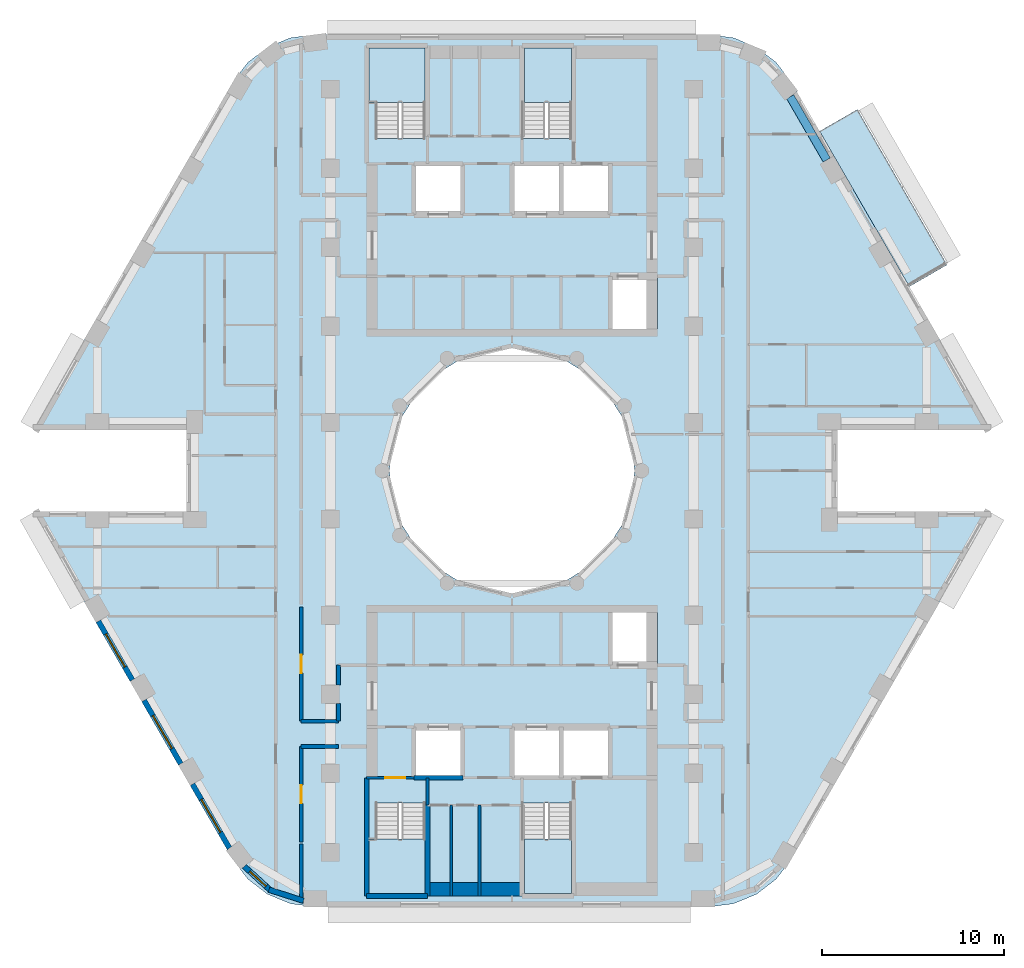
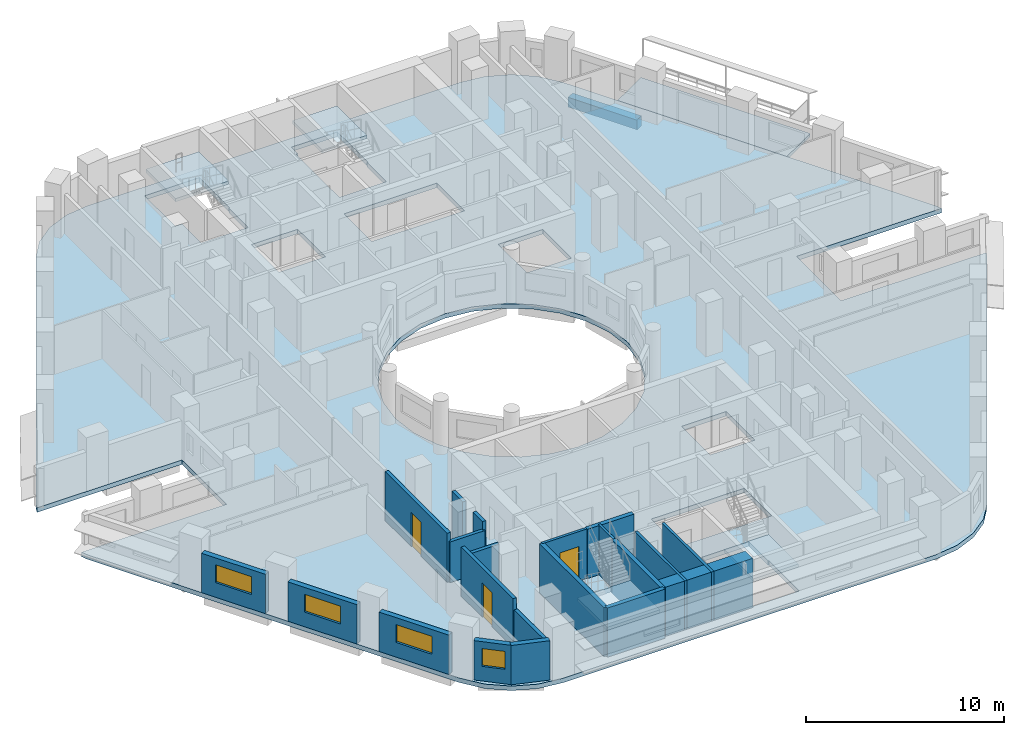
# One storey, part 2 of 14: 21 walls, 6 slabs, 4 windows, 3 doors, 1 beam, 7 openings, 4 elements without a shape of their own.
"""IFC4 building model written with IfcOpenShell, lengths in metres."""

import ifcopenshell
import ifcopenshell.guid

model = None  # the IFC model being written
_history = None  # IfcOwnerHistory: only IFC2X3 demands one
_inside = {}  # id of a spatial element -> (the spatial element, [elements in it])
_under = {}  # id of a project, library or spatial element -> (it, [spatial elements below it])
_declared = {}  # id of a project -> (the project, [libraries it declares])
_typed = {}  # id of a type object -> (the type object, [elements of that type])
_made_of = {}  # id of a material, layer set ... -> (it, [elements and type objects made of it])


def new_model(schema):
    """Start an empty IFC model of exactly this schema.

    Asked for "IFC4X3", IfcOpenShell would pick the latest addendum, in which some entities
    have other attributes; the version numbers below select the first issue.
    IFC2X3 requires an IfcOwnerHistory on every rooted entity: one is made here for all.
    """
    global model, _history
    if schema == "IFC4X3":
        model = ifcopenshell.file(schema_version=(4, 3, 0, 0))
    else:
        model = ifcopenshell.file(schema=schema)
    _inside.clear()
    _under.clear()
    _declared.clear()
    _typed.clear()
    _made_of.clear()
    _history = None
    if model.schema == "IFC2X3":
        org = make("IfcOrganization", Name="unknown")
        user = make(
            "IfcPersonAndOrganization",
            ThePerson=make("IfcPerson", FamilyName="unknown"),
            TheOrganization=org,
        )
        app = make(
            "IfcApplication",
            ApplicationDeveloper=org,
            Version="unknown",
            ApplicationFullName="unknown",
            ApplicationIdentifier="unknown",
        )
        _history = make(
            "IfcOwnerHistory",
            OwningUser=user,
            OwningApplication=app,
            ChangeAction="ADDED",
            CreationDate=0,
        )
    return model


def make(cls, **values):
    """One entity of the class cls with the attributes given. An attribute that is None is left unset."""
    return model.create_entity(
        cls, **{name: value for name, value in values.items() if value is not None}
    )


def rooted(cls, **values):
    """An entity with a GlobalId (a new one), such as an element, a storey or a relation."""
    return make(cls, GlobalId=ifcopenshell.guid.new(), OwnerHistory=_history, **values)


def si_unit(unit_type, name, prefix=None):
    """IfcSIUnit, for example si_unit("LENGTHUNIT", "METRE", prefix="MILLI")."""
    return make("IfcSIUnit", UnitType=unit_type, Prefix=prefix, Name=name)


def assignment(units):
    """IfcUnitAssignment: the units of a project."""
    return None if units is None else make("IfcUnitAssignment", Units=units)


def point(xyz):
    """IfcCartesianPoint."""
    return None if xyz is None else make("IfcCartesianPoint", Coordinates=xyz)


def direction(xyz):
    """IfcDirection."""
    return None if xyz is None else make("IfcDirection", DirectionRatios=xyz)


def frame(location, z_axis=None, x_axis=None):
    """IfcAxis2Placement3D, a coordinate frame: its origin and axes. An axis left out is left unset."""
    return make(
        "IfcAxis2Placement3D",
        Location=point(location),
        Axis=direction(z_axis),
        RefDirection=direction(x_axis),
    )


def frame_2d(location, x_axis=None):
    """IfcAxis2Placement2D, a coordinate frame in the plane: its origin and x axis."""
    return make(
        "IfcAxis2Placement2D", Location=point(location), RefDirection=direction(x_axis)
    )


def origin():
    """The frame at (0, 0, 0) with its axes left unset."""
    return frame((0.0, 0.0, 0.0))


def origin_2d():
    """The frame at (0, 0) in the plane with its x axis left unset."""
    return frame_2d((0.0, 0.0))


def place(relative_to, where):
    """IfcLocalPlacement: puts the frame where relative to a parent placement (None: the world)."""
    return make(
        "IfcLocalPlacement", PlacementRelTo=relative_to, RelativePlacement=where
    )


def context(
    kind, dimensions, precision=None, world=None, true_north=None, identifier=None
):
    """IfcGeometricRepresentationContext, for example the 3D "Model" context."""
    return make(
        "IfcGeometricRepresentationContext",
        ContextIdentifier=identifier,
        ContextType=kind,
        CoordinateSpaceDimension=dimensions,
        Precision=precision,
        WorldCoordinateSystem=world,
        TrueNorth=true_north,
    )


def subcontext(parent, identifier, kind, view, scale=None):
    """IfcGeometricRepresentationSubContext, for example "Body" below "Model"."""
    return make(
        "IfcGeometricRepresentationSubContext",
        ContextIdentifier=identifier,
        ContextType=kind,
        ParentContext=parent,
        TargetScale=scale,
        TargetView=view,
    )


def project(units=None, contexts=None):
    """IfcProject with its units and contexts."""
    return rooted(
        "IfcProject",
        Name="project",
        RepresentationContexts=contexts,
        UnitsInContext=assignment(units),
    )


def spatial(cls, under=None, at=None, **own):
    """A site, building, storey or space (cls), placed at a placement, below another one or the project."""
    s = rooted(cls, ObjectPlacement=at, **own)
    if under is not None:
        _under.setdefault(under.id(), (under, []))[1].append(s)
    return s


def polyline(points):
    """IfcPolyline through the points."""
    return make("IfcPolyline", Points=[point(p) for p in points])


def profile(cls, at=None, kind="AREA", **sizes):
    """A parametric profile (cls). Its sizes go by their IFC names, for example OverallWidth=200.0."""
    return make(cls, ProfileType=kind, Position=at, **sizes)


def rectangle(**sizes):
    """IfcRectangleProfileDef."""
    return profile("IfcRectangleProfileDef", **sizes)


def outline(outer, holes=None, kind="AREA"):
    """IfcArbitraryClosedProfileDef: a profile drawn as a closed curve; with holes, ...WithVoids."""
    if holes is None:
        return make("IfcArbitraryClosedProfileDef", ProfileType=kind, OuterCurve=outer)
    return make(
        "IfcArbitraryProfileDefWithVoids",
        ProfileType=kind,
        OuterCurve=outer,
        InnerCurves=holes,
    )


def extrude(swept, where, along, depth):
    """IfcExtrudedAreaSolid: the profile swept, set in the frame where, extruded along a direction by depth."""
    return make(
        "IfcExtrudedAreaSolid",
        SweptArea=swept,
        Position=where,
        ExtrudedDirection=direction(along),
        Depth=depth,
    )


def shape(context_of_items, identifier, shape_type, items):
    """IfcShapeRepresentation: the items that make up one representation, for example the "Body"."""
    return make(
        "IfcShapeRepresentation",
        ContextOfItems=context_of_items,
        RepresentationIdentifier=identifier,
        RepresentationType=shape_type,
        Items=items,
    )


def material(Name=None, Category=None):
    """IfcMaterial."""
    return make("IfcMaterial", Name=Name, Category=Category)


def layer(
    of_material, thickness, ventilated=None, Name=None, Category=None, Priority=None
):
    """IfcMaterialLayer: one layer of a wall or slab, of a material (None: an air gap)."""
    return make(
        "IfcMaterialLayer",
        Material=of_material,
        LayerThickness=thickness,
        IsVentilated=ventilated,
        Name=Name,
        Category=Category,
        Priority=Priority,
    )


def layer_set(layers, Name=None):
    """IfcMaterialLayerSet."""
    return make("IfcMaterialLayerSet", MaterialLayers=layers, LayerSetName=Name)


def material_profile(
    of_material, cross_section, Name=None, Category=None, Priority=None
):
    """IfcMaterialProfile: a cross section and its material."""
    return make(
        "IfcMaterialProfile",
        Name=Name,
        Material=of_material,
        Profile=cross_section,
        Priority=Priority,
        Category=Category,
    )


def profile_set(profiles, Name=None, composite=None):
    """IfcMaterialProfileSet."""
    return make(
        "IfcMaterialProfileSet",
        Name=Name,
        MaterialProfiles=profiles,
        CompositeProfile=composite,
    )


def made_of(thing, what):
    """Note that an element or type object is made of a material, layer set ...; save() writes the relation."""
    if what is not None:
        _made_of.setdefault(what.id(), (what, []))[1].append(thing)
    return thing


def type_object(cls, material=None, **own):
    """A type object (cls), such as IfcWallType, which elements share."""
    return made_of(rooted(cls, **own), material)


def element(
    cls,
    number,
    at=None,
    inside=None,
    cuts=None,
    type_object=None,
    material=None,
    context=None,
    identifier="Body",
    shape_type=None,
    held_by="IfcProductDefinitionShape",
    body=None,
    shapes=None,
    **own,
):
    """One element of the class cls, such as IfcWall. Its Tag is "e" and its number.

    at: its placement. inside: the storey or other place that contains it. cuts: it is an
    opening in that element (IfcRelVoidsElement). A single representation is given by context,
    identifier, shape_type and body (its items); several are given by shapes. held_by: the class
    of the entity that holds the representations. save() writes the other relations.
    """
    e = rooted(cls, Tag="e%d" % number, ObjectPlacement=at, **own)
    if body is not None:
        shapes = [shape(context, identifier, shape_type, body)]
    if shapes is not None:
        e.Representation = make(held_by, Representations=shapes)
    if inside is not None:
        _inside.setdefault(inside.id(), (inside, []))[1].append(e)
    if cuts is not None:
        rooted(
            "IfcRelVoidsElement", RelatingBuildingElement=cuts, RelatedOpeningElement=e
        )
    if type_object is not None:
        _typed.setdefault(type_object.id(), (type_object, []))[1].append(e)
    return made_of(e, material)


def fill(opening, filler):
    """IfcRelFillsElement: the door or window that sits in an opening."""
    return rooted(
        "IfcRelFillsElement",
        RelatingOpeningElement=opening,
        RelatedBuildingElement=filler,
    )


def aggregate(whole, parts):
    """IfcRelAggregates: a whole, such as a stair, and the parts it consists of."""
    return rooted("IfcRelAggregates", RelatingObject=whole, RelatedObjects=parts)


def save(model, path):
    """Write the relations noted so far, then the file.

    IfcRelAggregates (storeys below a building ...), IfcRelContainedInSpatialStructure (elements
    in a storey), IfcRelDefinesByType, IfcRelAssociatesMaterial and IfcRelDeclares: one each for
    every whole, place, type object, material and project.
    """
    for whole, parts in _under.values():
        aggregate(whole, parts)
    for where, things in _inside.values():
        rooted(
            "IfcRelContainedInSpatialStructure",
            RelatedElements=things,
            RelatingStructure=where,
        )
    for kind, things in _typed.values():
        rooted("IfcRelDefinesByType", RelatedObjects=things, RelatingType=kind)
    for what, things in _made_of.values():
        rooted("IfcRelAssociatesMaterial", RelatedObjects=things, RelatingMaterial=what)
    for by, libraries in _declared.values():
        rooted("IfcRelDeclares", RelatingContext=by, RelatedDefinitions=libraries)
    model.write(path)


model = new_model("IFC4")

# Units and contexts
model_context = context("Model", 3, precision=1e-05, world=origin(), true_north=direction((0.0, 1.0)))
body_context = subcontext(model_context, "Body", "Model", "MODEL_VIEW")
ifc_project = project(units=[si_unit("LENGTHUNIT", "METRE"), si_unit("AREAUNIT", "SQUARE_METRE"), si_unit("VOLUMEUNIT", "CUBIC_METRE"), si_unit("PLANEANGLEUNIT", "RADIAN"), si_unit("MASSUNIT", "GRAM", prefix="KILO")], contexts=[model_context])

# Site, building, storey
site_placement = place(None, origin())
site = spatial("IfcSite", under=ifc_project, at=site_placement, CompositionType="ELEMENT")
building_placement = place(site_placement, origin())
building = spatial("IfcBuilding", under=site, at=building_placement, Name="Nakaniwa Court", CompositionType="ELEMENT")
storey_placement = place(building_placement, frame((0.0, 0.0, 163.5)))
storey = spatial("IfcBuildingStorey", under=building, at=storey_placement, Name="L43", CompositionType="ELEMENT", Elevation=163.5)

# Beam
ifc_material_1 = material(Name="Concrete C80/100", Category="concrete")
ifc_material_profile = material_profile(ifc_material_1, rectangle(XDim=0.449951171875, YDim=0.60009765625, at=origin_2d()), Name="Concrete C80/100 RC 450x600 spandrel beam")
ifc_profile_set = profile_set([ifc_material_profile], Name="Concrete C80/100")
beam_type = type_object("IfcBeamType", Name="Concrete C80/100 RC 450x600 spandrel beam", PredefinedType="BEAM", material=ifc_profile_set)
beam_placement = place(storey_placement, frame((97.320556640625, 97.10009765625, -0.574951171875), z_axis=(-0.500018573463, 0.866014680125, 0.0), x_axis=(-0.866014680125, -0.500018573463, 0.0)))
element("IfcBeam", 1, at=beam_placement, inside=storey, type_object=beam_type, Name="SPANDREL BEAM", PredefinedType="BEAM", context=body_context, shape_type="SweptSolid", body=[
    extrude(rectangle(XDim=0.449951171875, YDim=0.60009765625, at=origin_2d()), origin(), (0.0, 0.0, 1.0), 4.020263671875),
])

# Slabs
ifc_material_2 = material(Name="Charcoal ceramic paver")
ifc_layer_1 = layer(ifc_material_2, 0.02, Name="Ceramic paver")
ifc_material_3 = material(Name="Cement sand screed")
ifc_layer_2 = layer(ifc_material_3, 0.03, Name="Falls screed")
ifc_material_4 = material(Name="Concrete C40/50", Category="concrete")
ifc_layer_3 = layer(ifc_material_4, 0.15, Name="Balcony slab")
ifc_layer_set_1 = layer_set([ifc_layer_1, ifc_layer_2, ifc_layer_3], Name="Concrete C40/50 balcony slab with ceramic paver finish")
slab_type_1 = type_object("IfcSlabType", Name="Balcony slab 200", PredefinedType="FLOOR", material=ifc_layer_set_1)
slab_1_placement = place(storey_placement, frame((0.0, 0.0, -0.25)))
element("IfcSlab", 2, at=slab_1_placement, inside=storey, type_object=slab_type_1, Name="L43 balcony 01", PredefinedType="FLOOR", context=body_context, shape_type="SweptSolid", body=[
    extrude(outline(polyline([(101.86328125, 90.1318359375), (96.927734375, 98.680419921875), (99.006103515625, 99.88037109375), (103.941650390625, 91.331787109375), (101.86328125, 90.1318359375)])), origin(), (0.0, 0.0, 1.0), 0.199951171875),
])
ifc_layer_4 = layer(ifc_material_1, 0.27490234375)
ifc_layer_set_2 = layer_set([ifc_layer_4], Name="Concrete C80/100")
slab_type_2 = type_object("IfcSlabType", Name="Concrete C80/100 post tensioned floor slab 275", PredefinedType="FLOOR", material=ifc_layer_set_2)
slab_2_placement = place(storey_placement, frame((0.0, 0.0, -0.27490234375)))
element("IfcSlab", 3, at=slab_2_placement, inside=storey, type_object=slab_type_2, Name="FLOOR SLAB", PredefinedType="FLOOR", context=body_context, shape_type="SweptSolid", body=[
    extrude(outline(polyline([(97.908447265625, 82.25), (106.356689453125, 82.25), (106.211669921875, 82.60009765625), (95.357421875, 101.39990234375), (94.531005859375, 102.47705078125), (93.4541015625, 103.30322265625), (92.199951171875, 103.82275390625), (90.854248046875, 104.0), (69.145751953125, 104.0), (67.800048828125, 103.82275390625), (66.5458984375, 103.30322265625), (65.468994140625, 102.47705078125), (64.642578125, 101.39990234375), (53.788330078125, 82.60009765625), (53.643310546875, 82.25), (62.091552734375, 82.25), (62.091552734375, 77.75), (53.643310546875, 77.75), (53.788330078125, 77.39990234375), (64.642578125, 58.60009765625), (65.468994140625, 57.52294921875), (66.5458984375, 56.69677734375), (67.800048828125, 56.17724609375), (69.145751953125, 56.0), (90.854248046875, 56.0), (92.199951171875, 56.17724609375), (93.4541015625, 56.69677734375), (94.531005859375, 57.52294921875), (95.357421875, 58.60009765625), (106.211669921875, 77.39990234375), (106.356689453125, 77.75), (97.908447265625, 77.75), (97.908447265625, 82.25)]), holes=[polyline([(81.501953125, 86.580810546875), (80.0, 86.75), (78.498046875, 86.580810546875), (77.0712890625, 86.08154296875), (75.79150390625, 85.27734375), (74.72265625, 84.20849609375), (73.91845703125, 82.9287109375), (73.419189453125, 81.501953125), (73.25, 80.0), (73.419189453125, 78.498046875), (73.91845703125, 77.0712890625), (74.72265625, 75.79150390625), (75.79150390625, 74.72265625), (77.0712890625, 73.91845703125), (78.498046875, 73.419189453125), (80.0, 73.25), (81.501953125, 73.419189453125), (82.9287109375, 73.91845703125), (84.20849609375, 74.72265625), (85.27734375, 75.79150390625), (86.08154296875, 77.0712890625), (86.580810546875, 78.498046875), (86.75, 80.0), (86.580810546875, 81.501953125), (86.08154296875, 82.9287109375), (85.27734375, 84.20849609375), (84.20849609375, 85.27734375), (82.9287109375, 86.08154296875), (81.501953125, 86.580810546875)]), polyline([(72.47509765625, 61.7099609375), (72.47509765625, 59.764892578125), (72.0849609375, 59.764892578125), (72.0849609375, 56.68505859375), (75.264892578125, 56.68505859375), (75.264892578125, 59.764892578125), (75.22509765625, 59.764892578125), (75.22509765625, 61.7099609375), (72.47509765625, 61.7099609375)]), polyline([(77.300048828125, 65.89990234375), (74.60009765625, 65.89990234375), (74.60009765625, 63.10009765625), (77.300048828125, 63.10009765625), (77.300048828125, 65.89990234375)]), polyline([(80.0, 65.89990234375), (80.0, 63.10009765625), (82.699951171875, 63.10009765625), (85.39990234375, 63.10009765625), (85.39990234375, 65.89990234375), (82.699951171875, 65.89990234375), (80.0, 65.89990234375)]), polyline([(77.300048828125, 96.89990234375), (74.60009765625, 96.89990234375), (74.60009765625, 94.10009765625), (77.300048828125, 94.10009765625), (77.300048828125, 96.89990234375)]), polyline([(80.0, 96.89990234375), (80.0, 94.10009765625), (82.699951171875, 94.10009765625), (85.39990234375, 94.10009765625), (85.39990234375, 96.89990234375), (82.699951171875, 96.89990234375), (80.0, 96.89990234375)]), polyline([(75.264892578125, 100.235107421875), (75.264892578125, 103.31494140625), (72.0849609375, 103.31494140625), (72.0849609375, 100.235107421875), (72.47509765625, 100.235107421875), (72.47509765625, 98.2900390625), (75.22509765625, 98.2900390625), (75.22509765625, 100.235107421875), (75.264892578125, 100.235107421875)]), polyline([(83.27490234375, 61.7099609375), (80.52490234375, 61.7099609375), (80.52490234375, 57.324951171875), (80.635009765625, 57.324951171875), (80.635009765625, 56.68505859375), (83.31494140625, 56.68505859375), (83.31494140625, 59.764892578125), (83.27490234375, 59.764892578125), (83.27490234375, 61.7099609375)]), polyline([(88.0, 72.199951171875), (85.39990234375, 72.199951171875), (85.39990234375, 69.300048828125), (88.0, 69.300048828125), (88.0, 72.199951171875)]), polyline([(88.0, 90.699951171875), (85.39990234375, 90.699951171875), (85.39990234375, 87.800048828125), (88.0, 87.800048828125), (88.0, 90.699951171875)]), polyline([(83.31494140625, 100.235107421875), (83.31494140625, 103.31494140625), (80.635009765625, 103.31494140625), (80.635009765625, 102.675048828125), (80.52490234375, 102.675048828125), (80.52490234375, 98.2900390625), (83.27490234375, 98.2900390625), (83.27490234375, 100.235107421875), (83.31494140625, 100.235107421875)])]), origin(), (0.0, 0.0, 1.0), 0.27490234375),
])

# Stair, slab
stair_type = type_object("IfcStairType", Name="Dog leg stair 1300 wide 18 risers", PredefinedType="HALF_TURN_STAIR", material=ifc_material_1)
stair_1_placement = place(storey_placement, origin())
stair_1 = element("IfcStair", 4, at=stair_1_placement, inside=storey, type_object=stair_type, Name="L43 Stair ST1", PredefinedType="HALF_TURN_STAIR")
ifc_layer_5 = layer(ifc_material_1, 0.199951171875)
ifc_layer_set_3 = layer_set([ifc_layer_5], Name="Concrete C80/100")
slab_type_3 = type_object("IfcSlabType", Name="Stair landing concrete", PredefinedType="LANDING", material=ifc_layer_set_3)
slab_3_placement = place(storey_placement, frame((0.0, 0.0, 1.449951171875)))
slab_3 = element("IfcSlab", 5, at=slab_3_placement, type_object=slab_type_3, Name="ST1 landing 1", PredefinedType="LANDING", context=body_context, shape_type="SweptSolid", body=[
    extrude(outline(polyline([(75.22509765625, 100.27490234375), (75.22509765625, 103.27490234375), (72.125, 103.27490234375), (72.125, 100.27490234375), (75.22509765625, 100.27490234375)])), origin(), (0.0, 0.0, 1.0), 0.199951171875),
])
aggregate(stair_1, [slab_3])

stair_2_placement = place(storey_placement, origin())
stair_2 = element("IfcStair", 6, at=stair_2_placement, inside=storey, type_object=stair_type, Name="L43 Stair ST2", PredefinedType="HALF_TURN_STAIR")
slab_4_placement = place(storey_placement, frame((0.0, 0.0, 1.449951171875)))
slab_4 = element("IfcSlab", 7, at=slab_4_placement, type_object=slab_type_3, Name="ST2 landing 1", PredefinedType="LANDING", context=body_context, shape_type="SweptSolid", body=[
    extrude(outline(polyline([(83.27490234375, 100.27490234375), (83.27490234375, 103.27490234375), (80.675048828125, 103.27490234375), (80.675048828125, 100.27490234375), (83.27490234375, 100.27490234375)])), origin(), (0.0, 0.0, 1.0), 0.199951171875),
])
aggregate(stair_2, [slab_4])

stair_3_placement = place(storey_placement, origin())
stair_3 = element("IfcStair", 8, at=stair_3_placement, inside=storey, type_object=stair_type, Name="L43 Stair ST3", PredefinedType="HALF_TURN_STAIR")
slab_5_placement = place(storey_placement, frame((0.0, 0.0, 1.449951171875)))
slab_5 = element("IfcSlab", 9, at=slab_5_placement, type_object=slab_type_3, Name="ST3 landing 1", PredefinedType="LANDING", context=body_context, shape_type="SweptSolid", body=[
    extrude(outline(polyline([(75.22509765625, 56.72509765625), (75.22509765625, 59.72509765625), (72.125, 59.72509765625), (72.125, 56.72509765625), (75.22509765625, 56.72509765625)])), origin(), (0.0, 0.0, 1.0), 0.199951171875),
])
aggregate(stair_3, [slab_5])

stair_4_placement = place(storey_placement, origin())
stair_4 = element("IfcStair", 10, at=stair_4_placement, inside=storey, type_object=stair_type, Name="L43 Stair ST4", PredefinedType="HALF_TURN_STAIR")
slab_6_placement = place(storey_placement, frame((0.0, 0.0, 1.449951171875)))
slab_6 = element("IfcSlab", 11, at=slab_6_placement, type_object=slab_type_3, Name="ST4 landing 1", PredefinedType="LANDING", context=body_context, shape_type="SweptSolid", body=[
    extrude(outline(polyline([(83.27490234375, 56.72509765625), (83.27490234375, 59.72509765625), (80.675048828125, 59.72509765625), (80.675048828125, 56.72509765625), (83.27490234375, 56.72509765625)])), origin(), (0.0, 0.0, 1.0), 0.199951171875),
])
aggregate(stair_4, [slab_6])

# Walls
ifc_material_5 = material(Name="Acoustic double stud partition")
ifc_layer_6 = layer(ifc_material_5, 0.199951171875)
ifc_layer_set_4 = layer_set([ifc_layer_6], Name="Acoustic double stud partition")
wall_type_1 = type_object("IfcWallType", Name="Acoustic double stud partition 200", PredefinedType="PARTITIONING", material=ifc_layer_set_4)
wall_1_placement = place(storey_placement, frame((68.39990234375, 64.824951171875, 0.0), z_axis=(0.0, 0.0, 1.0), x_axis=(1.0, 0.0, 0.0)))
element("IfcWall", 12, at=wall_1_placement, inside=storey, type_object=wall_type_1, Name="Partition PW-081", PredefinedType="PARTITIONING", context=body_context, shape_type="SweptSolid", body=[
    extrude(rectangle(XDim=2.06298828125, YDim=0.199951171875, at=frame_2d((1.031494140625, 0.0))), origin(), (0.0, 0.0, 1.0), 2.5048828125),
])
wall_2_placement = place(storey_placement, frame((68.39990234375, 66.22509765625, 0.0), z_axis=(0.0, 0.0, 1.0), x_axis=(1.0, 0.0, 0.0)))
element("IfcWall", 13, at=wall_2_placement, inside=storey, type_object=wall_type_1, Name="Partition PW-092", PredefinedType="PARTITIONING", context=body_context, shape_type="SweptSolid", body=[
    extrude(rectangle(XDim=2.050048828125, YDim=0.199951171875, at=frame_2d((1.02490234375, 0.0))), origin(), (0.0, 0.0, 1.0), 2.5048828125),
])
wall_3_placement = place(storey_placement, frame((68.39990234375, 56.40087890625, 0.0), z_axis=(0.0, 0.0, 1.0), x_axis=(0.0, 1.0, 0.0)))
element("IfcWall", 14, at=wall_3_placement, inside=storey, type_object=wall_type_1, Name="Partition PW-102", PredefinedType="PARTITIONING", context=body_context, shape_type="SweptSolid", body=[
    extrude(rectangle(XDim=3.06201171875, YDim=0.199951171875, at=frame_2d((1.531005859375, 0.0))), origin(), (0.0, 0.0, 1.0), 2.405029296875),
])

# Wall, opening, door
wall_4_placement = place(storey_placement, frame((68.39990234375, 64.824951171875, 0.0), z_axis=(0.0, 0.0, 1.0), x_axis=(0.0, -1.0, 0.0)))
wall_4 = element("IfcWall", 15, at=wall_4_placement, inside=storey, type_object=wall_type_1, Name="Partition PW-103", PredefinedType="PARTITIONING", context=body_context, shape_type="SweptSolid", body=[
    extrude(rectangle(XDim=5.247802734375, YDim=0.199951171875, at=frame_2d((2.6240234375, 0.0))), origin(), (0.0, 0.0, 1.0), 3.02490234375),
])
opening_1_placement = place(wall_4_placement, frame((2.123046875, 0.0, 0.0)))
opening_1 = element("IfcOpeningElement", 16, at=opening_1_placement, cuts=wall_4, Name="Opening D-02-04", PredefinedType="OPENING", context=body_context, shape_type="SweptSolid", body=[
    extrude(rectangle(XDim=1.0, YDim=2.10009765625, at=frame_2d((0.5, 1.050048828125))), frame((0.0, 0.10986328125, 0.0), z_axis=(0.0, -1.0, 0.0), x_axis=(1.0, 0.0, 0.0)), (0.0, 0.0, 1.0), 0.219970703125),
])
ifc_material_6 = material(Name="Solid core timber door set, black veneer", Category="wood")
door_type_1 = type_object("IfcDoorType", Name="Internal door 1000", OperationType="NOTDEFINED", PredefinedType="DOOR", material=ifc_material_6)
door_1_placement = place(opening_1_placement, origin())
door_1 = element("IfcDoor", 17, at=door_1_placement, inside=storey, type_object=door_type_1, Name="Door D-02-04 L43-041", OperationType="SINGLE_SWING_RIGHT", OverallHeight=2.10009765625, OverallWidth=1.0, PredefinedType="DOOR", context=body_context, shape_type="SweptSolid", body=[
    extrude(rectangle(XDim=1.0, YDim=2.10009765625, at=frame_2d((0.5, 1.050048828125))), frame((0.0, 0.02490234375, 0.0), z_axis=(0.0, -1.0, 0.0), x_axis=(1.0, 0.0, 0.0)), (0.0, 0.0, 1.0), 0.050048828125),
])
fill(opening_1, door_1)

wall_5_placement = place(storey_placement, frame((68.39990234375, 72.5126953125, 0.0), z_axis=(0.0, 0.0, 1.0), x_axis=(0.0, -1.0, 0.0)))
wall_5 = element("IfcWall", 18, at=wall_5_placement, inside=storey, type_object=wall_type_1, Name="Partition PW-104", PredefinedType="PARTITIONING", context=body_context, shape_type="SweptSolid", body=[
    extrude(rectangle(XDim=6.28759765625, YDim=0.199951171875, at=frame_2d((3.143798828125, 0.0))), origin(), (0.0, 0.0, 1.0), 3.02490234375),
])
opening_2_placement = place(wall_5_placement, frame((2.64501953125, 0.0, 0.0)))
opening_2 = element("IfcOpeningElement", 19, at=opening_2_placement, cuts=wall_5, Name="Opening D-02-06", PredefinedType="OPENING", context=body_context, shape_type="SweptSolid", body=[
    extrude(rectangle(XDim=1.0, YDim=2.10009765625, at=frame_2d((0.5, 1.050048828125))), frame((0.0, 0.10986328125, 0.0), z_axis=(0.0, -1.0, 0.0), x_axis=(1.0, 0.0, 0.0)), (0.0, 0.0, 1.0), 0.219970703125),
])
door_2_placement = place(opening_2_placement, origin())
door_2 = element("IfcDoor", 20, at=door_2_placement, inside=storey, type_object=door_type_1, Name="Door D-02-06 L43-043", OperationType="SINGLE_SWING_RIGHT", OverallHeight=2.10009765625, OverallWidth=1.0, PredefinedType="DOOR", context=body_context, shape_type="SweptSolid", body=[
    extrude(rectangle(XDim=1.0, YDim=2.10009765625, at=frame_2d((0.5, 1.050048828125))), frame((0.0, 0.02490234375, 0.0), z_axis=(0.0, -1.0, 0.0), x_axis=(1.0, 0.0, 0.0)), (0.0, 0.0, 1.0), 0.050048828125),
])
fill(opening_2, door_2)

# Walls
wall_6_placement = place(storey_placement, frame((70.449951171875, 66.22509765625, 0.0), z_axis=(0.0, 0.0, 1.0), x_axis=(0.0, 1.0, 0.0)))
element("IfcWall", 21, at=wall_6_placement, inside=storey, type_object=wall_type_1, Name="Partition PW-111", PredefinedType="PARTITIONING", context=body_context, shape_type="SweptSolid", body=[
    extrude(rectangle(XDim=0.957763671875, YDim=0.199951171875, at=frame_2d((0.47900390625, 0.0))), origin(), (0.0, 0.0, 1.0), 3.02490234375),
])
wall_7_placement = place(storey_placement, frame((70.449951171875, 68.21728515625, 0.0), z_axis=(0.0, 0.0, 1.0), x_axis=(0.0, 1.0, 0.0)))
element("IfcWall", 22, at=wall_7_placement, inside=storey, type_object=wall_type_1, Name="Partition PW-112", PredefinedType="PARTITIONING", context=body_context, shape_type="SweptSolid", body=[
    extrude(rectangle(XDim=1.082763671875, YDim=0.199951171875, at=frame_2d((0.54150390625, 0.0))), origin(), (0.0, 0.0, 1.0), 3.02490234375),
])

# Wall, opening, window
ifc_material_7 = material(Name="Charcoal ceramic cladding")
ifc_layer_7 = layer(ifc_material_7, 0.02, Name="Ceramic cladding")
ifc_material_8 = material(Name="Ventilated air cavity")
ifc_layer_8 = layer(ifc_material_8, 0.04, ventilated=True, Name="Ventilated cavity")
ifc_material_9 = material(Name="Mineral wool insulation")
ifc_layer_9 = layer(ifc_material_9, 0.1, Name="Insulation")
ifc_material_10 = material(Name="Cement bonded sheathing board")
ifc_layer_10 = layer(ifc_material_10, 0.012, Name="Sheathing")
ifc_material_11 = material(Name="Cold-formed galvanised stud frame with mineral wool infill")
ifc_layer_11 = layer(ifc_material_11, 0.1, Name="Stud frame")
ifc_material_12 = material(Name="Fire-rated gypsum plasterboard lining")
ifc_layer_12 = layer(ifc_material_12, 0.028, Name="Lining")
ifc_layer_set_5 = layer_set([ifc_layer_7, ifc_layer_8, ifc_layer_9, ifc_layer_10, ifc_layer_11, ifc_layer_12], Name="Charcoal ceramic faced external wall system")
wall_type_2 = type_object("IfcWallType", Name="Black ceramic faced external wall 300", PredefinedType="SOLIDWALL", material=ifc_layer_set_5)
wall_8_placement = place(storey_placement, frame((57.240478515625, 71.720947265625, 0.0), z_axis=(0.0, 0.0, 1.0), x_axis=(0.499933594891, -0.866063739398, 0.0)))
wall_8 = element("IfcWall", 23, at=wall_8_placement, inside=storey, type_object=wall_type_2, Name="L43 external wall 21", PredefinedType="SOLIDWALL", context=body_context, shape_type="SweptSolid", body=[
    extrude(rectangle(XDim=3.73681640625, YDim=0.300048828125, at=frame_2d((1.868408203125, 0.0))), origin(), (0.0, 0.0, 1.0), 2.425048828125),
])
opening_3_placement = place(wall_8_placement, frame((0.818359375, 0.0, 0.89990234375)))
opening_3 = element("IfcOpeningElement", 24, at=opening_3_placement, cuts=wall_8, Name="Opening W7.19", PredefinedType="OPENING", context=body_context, shape_type="SweptSolid", body=[
    extrude(rectangle(XDim=2.10009765625, YDim=1.10009765625, at=frame_2d((1.050048828125, 0.550048828125))), frame((0.0, 0.159912109375, 0.0), z_axis=(0.0, -1.0, 0.0), x_axis=(1.0, 0.0, 0.0)), (0.0, 0.0, 1.0), 0.320068359375),
])
ifc_material_13 = material(Name="Black anodised aluminium frame with dark low-E laminated double glazing", Category="aluminium")
window_type_1 = type_object("IfcWindowType", Name="Dark glass window 2100x1100 sill 900", PartitioningType="SINGLE_PANEL", PredefinedType="WINDOW", material=ifc_material_13)
window_1_placement = place(opening_3_placement, origin())
window_1 = element("IfcWindow", 25, at=window_1_placement, inside=storey, type_object=window_type_1, Name="L43 habitable room window 21-0", OverallHeight=1.10009765625, OverallWidth=2.10009765625, PartitioningType="SINGLE_PANEL", PredefinedType="WINDOW", context=body_context, shape_type="SweptSolid", body=[
    extrude(rectangle(XDim=2.10009765625, YDim=1.10009765625, at=frame_2d((1.050048828125, 0.550048828125))), frame((0.0, 0.030029296875, 0.0), z_axis=(0.0, -1.0, 0.0), x_axis=(1.0, 0.0, 0.0)), (0.0, 0.0, 1.0), 0.06005859375),
])
fill(opening_3, window_1)

wall_9_placement = place(storey_placement, frame((59.754638671875, 67.36572265625, 0.0), z_axis=(0.0, 0.0, 1.0), x_axis=(0.500031546601, -0.86600718958, 0.0)))
wall_9 = element("IfcWall", 26, at=wall_9_placement, inside=storey, type_object=wall_type_2, Name="L43 external wall 22", PredefinedType="SOLIDWALL", context=body_context, shape_type="SweptSolid", body=[
    extrude(rectangle(XDim=4.033935546875, YDim=0.300048828125, at=frame_2d((2.01708984375, 0.0))), origin(), (0.0, 0.0, 1.0), 2.425048828125),
])
opening_4_placement = place(wall_9_placement, frame((0.966796875, 0.0, 0.89990234375)))
opening_4 = element("IfcOpeningElement", 27, at=opening_4_placement, cuts=wall_9, Name="Opening W7.20", PredefinedType="OPENING", context=body_context, shape_type="SweptSolid", body=[
    extrude(rectangle(XDim=2.10009765625, YDim=1.10009765625, at=frame_2d((1.050048828125, 0.550048828125))), frame((0.0, 0.159912109375, 0.0), z_axis=(0.0, -1.0, 0.0), x_axis=(1.0, 0.0, 0.0)), (0.0, 0.0, 1.0), 0.320068359375),
])
window_2_placement = place(opening_4_placement, origin())
window_2 = element("IfcWindow", 28, at=window_2_placement, inside=storey, type_object=window_type_1, Name="L43 habitable room window 22-0", OverallHeight=1.10009765625, OverallWidth=2.10009765625, PartitioningType="SINGLE_PANEL", PredefinedType="WINDOW", context=body_context, shape_type="SweptSolid", body=[
    extrude(rectangle(XDim=2.10009765625, YDim=1.10009765625, at=frame_2d((1.050048828125, 0.550048828125))), frame((0.0, 0.030029296875, 0.0), z_axis=(0.0, -1.0, 0.0), x_axis=(1.0, 0.0, 0.0)), (0.0, 0.0, 1.0), 0.06005859375),
])
fill(opening_4, window_2)

wall_10_placement = place(storey_placement, frame((62.417724609375, 62.75341796875, 0.0), z_axis=(0.0, 0.0, 1.0), x_axis=(0.500018589245, -0.866014671013, 0.0)))
wall_10 = element("IfcWall", 29, at=wall_10_placement, inside=storey, type_object=wall_type_2, Name="L43 external wall 23", PredefinedType="SOLIDWALL", context=body_context, shape_type="SweptSolid", body=[
    extrude(rectangle(XDim=4.067626953125, YDim=0.300048828125, at=frame_2d((2.03369140625, 0.0))), origin(), (0.0, 0.0, 1.0), 2.425048828125),
])
opening_5_placement = place(wall_10_placement, frame((0.97265625, 0.0, 0.89990234375)))
opening_5 = element("IfcOpeningElement", 30, at=opening_5_placement, cuts=wall_10, Name="Opening W7.21", PredefinedType="OPENING", context=body_context, shape_type="SweptSolid", body=[
    extrude(rectangle(XDim=2.10009765625, YDim=1.10009765625, at=frame_2d((1.050048828125, 0.550048828125))), frame((0.0, 0.159912109375, 0.0), z_axis=(0.0, -1.0, 0.0), x_axis=(1.0, 0.0, 0.0)), (0.0, 0.0, 1.0), 0.320068359375),
])
window_3_placement = place(opening_5_placement, origin())
window_3 = element("IfcWindow", 31, at=window_3_placement, inside=storey, type_object=window_type_1, Name="L43 habitable room window 23-0", OverallHeight=1.10009765625, OverallWidth=2.10009765625, PartitioningType="SINGLE_PANEL", PredefinedType="WINDOW", context=body_context, shape_type="SweptSolid", body=[
    extrude(rectangle(XDim=2.10009765625, YDim=1.10009765625, at=frame_2d((1.050048828125, 0.550048828125))), frame((0.0, 0.030029296875, 0.0), z_axis=(0.0, -1.0, 0.0), x_axis=(1.0, 0.0, 0.0)), (0.0, 0.0, 1.0), 0.06005859375),
])
fill(opening_5, window_3)

wall_11_placement = place(storey_placement, frame((65.26904296875, 58.229248046875, 0.0), z_axis=(0.0, 0.0, 1.0), x_axis=(0.737487298625, -0.675361002995, 0.0)))
wall_11 = element("IfcWall", 32, at=wall_11_placement, inside=storey, type_object=wall_type_2, Name="L43 external wall 24", PredefinedType="SOLIDWALL", context=body_context, shape_type="SweptSolid", body=[
    extrude(rectangle(XDim=1.9765625, YDim=0.300048828125, at=frame_2d((0.98828125, 0.0))), origin(), (0.0, 0.0, 1.0), 2.425048828125),
])
opening_6_placement = place(wall_11_placement, frame((0.415283203125, 0.0, 0.89990234375)))
opening_6 = element("IfcOpeningElement", 33, at=opening_6_placement, cuts=wall_11, Name="Opening W6.22", PredefinedType="OPENING", context=body_context, shape_type="SweptSolid", body=[
    extrude(rectangle(XDim=1.199951171875, YDim=1.10009765625, at=frame_2d((0.60009765625, 0.550048828125))), frame((0.0, 0.159912109375, 0.0), z_axis=(0.0, -1.0, 0.0), x_axis=(1.0, 0.0, 0.0)), (0.0, 0.0, 1.0), 0.320068359375),
])
window_type_2 = type_object("IfcWindowType", Name="Dark glass window 1200x1100 sill 900", PartitioningType="SINGLE_PANEL", PredefinedType="WINDOW", material=ifc_material_13)
window_4_placement = place(opening_6_placement, origin())
window_4 = element("IfcWindow", 34, at=window_4_placement, inside=storey, type_object=window_type_2, Name="L43 habitable room window 24-0", OverallHeight=1.10009765625, OverallWidth=1.199951171875, PartitioningType="SINGLE_PANEL", PredefinedType="WINDOW", context=body_context, shape_type="SweptSolid", body=[
    extrude(rectangle(XDim=1.199951171875, YDim=1.10009765625, at=frame_2d((0.60009765625, 0.550048828125))), frame((0.0, 0.030029296875, 0.0), z_axis=(0.0, -1.0, 0.0), x_axis=(1.0, 0.0, 0.0)), (0.0, 0.0, 1.0), 0.06005859375),
])
fill(opening_6, window_4)

# Walls
wall_12_placement = place(storey_placement, frame((66.625732421875, 56.94580078125, 0.0), z_axis=(0.0, 0.0, 1.0), x_axis=(0.952201240673, -0.305471434444, 0.0)))
element("IfcWall", 35, at=wall_12_placement, inside=storey, type_object=wall_type_2, Name="L43 external wall 25", PredefinedType="SOLIDWALL", context=body_context, shape_type="SweptSolid", body=[
    extrude(rectangle(XDim=1.998779296875, YDim=0.300048828125, at=frame_2d((0.99951171875, 0.0))), origin(), (0.0, 0.0, 1.0), 2.425048828125),
])
ifc_material_14 = material(Name="Blockwork partition", Category="masonry")
ifc_layer_13 = layer(ifc_material_14, 0.14990234375)
ifc_layer_set_6 = layer_set([ifc_layer_13], Name="Blockwork partition")
wall_type_3 = type_object("IfcWallType", Name="Blockwork partition 150", PredefinedType="PARTITIONING", material=ifc_layer_set_6)
for number, where, z_axis, x_axis, name in (
    (36, (76.64990234375, 56.60009765625, 0.0), (0.0, 0.0, 1.0), (0.0, 1.0, 0.0), "Partition PW-071"),
    (37, (78.2099609375, 56.60009765625, 0.0), (0.0, 0.0, 1.0), (0.0, 1.0, 0.0), "Partition PW-072"),
):
    element("IfcWall", number, at=place(storey_placement, frame(where, z_axis=z_axis, x_axis=x_axis)), inside=storey, type_object=wall_type_3, Name=name, PredefinedType="PARTITIONING", context=body_context, shape_type="SweptSolid", body=[
        extrude(rectangle(XDim=5.0, YDim=0.14990234375, at=frame_2d((2.5, 0.0))), origin(), (0.0, 0.0, 1.0), 3.02490234375),
    ])

# Wall, opening, door
ifc_layer_14 = layer(ifc_material_1, 0.14990234375)
ifc_layer_set_7 = layer_set([ifc_layer_14], Name="Concrete C80/100")
wall_type_4 = type_object("IfcWallType", Name="Concrete core wall 150 C80", PredefinedType="SHEAR", material=ifc_layer_set_7)
wall_13_placement = place(storey_placement, frame((72.0, 63.10009765625, -0.27490234375), z_axis=(0.0, 0.0, 1.0), x_axis=(1.0, 0.0, 0.0)))
wall_13 = element("IfcWall", 38, at=wall_13_placement, inside=storey, type_object=wall_type_4, Name="Core wall SW-53", PredefinedType="SHEAR", context=body_context, shape_type="SweptSolid", body=[
    extrude(rectangle(XDim=2.60009765625, YDim=0.14990234375, at=frame_2d((1.300048828125, 0.0))), origin(), (0.0, 0.0, 1.0), 3.2998046875),
])
opening_7_placement = place(wall_13_placement, frame((1.02001953125, 0.0, 0.27490234375)))
opening_7 = element("IfcOpeningElement", 39, at=opening_7_placement, cuts=wall_13, Name="Opening D-09-02", PredefinedType="OPENING", context=body_context, shape_type="SweptSolid", body=[
    extrude(rectangle(XDim=1.10009765625, YDim=2.10009765625, at=frame_2d((0.550048828125, 1.050048828125))), frame((0.0, 0.0849609375, 0.0), z_axis=(0.0, -1.0, 0.0), x_axis=(1.0, 0.0, 0.0)), (0.0, 0.0, 1.0), 0.169921875),
])
ifc_material_15 = material(Name="Fire rated steel door set", Category="steel")
door_type_2 = type_object("IfcDoorType", Name="Stair door 1100", OperationType="NOTDEFINED", PredefinedType="DOOR", material=ifc_material_15)
door_3_placement = place(opening_7_placement, origin())
door_3 = element("IfcDoor", 40, at=door_3_placement, inside=storey, type_object=door_type_2, Name="Door D-09-02 L43-027", OperationType="SINGLE_SWING_LEFT", OverallHeight=2.10009765625, OverallWidth=1.10009765625, PredefinedType="DOOR", context=body_context, shape_type="SweptSolid", body=[
    extrude(rectangle(XDim=1.10009765625, YDim=2.10009765625, at=frame_2d((0.550048828125, 1.050048828125))), frame((0.0, 0.02490234375, 0.0), z_axis=(0.0, -1.0, 0.0), x_axis=(1.0, 0.0, 0.0)), (0.0, 0.0, 1.0), 0.050048828125),
])
fill(opening_7, door_3)

# Walls
wall_14_placement = place(storey_placement, frame((75.35009765625, 61.596923828125, -0.27490234375), z_axis=(0.0, 0.0, 1.0), x_axis=(0.0, 1.0, 0.0)))
element("IfcWall", 41, at=wall_14_placement, inside=storey, type_object=wall_type_4, Name="Core wall SW-60", PredefinedType="SHEAR", context=body_context, shape_type="SweptSolid", body=[
    extrude(rectangle(XDim=1.503173828125, YDim=0.14990234375, at=frame_2d((0.75146484375, 0.0))), origin(), (0.0, 0.0, 1.0), 3.2998046875),
])
ifc_layer_15 = layer(ifc_material_1, 0.25)
ifc_layer_set_8 = layer_set([ifc_layer_15], Name="Concrete C80/100")
wall_type_5 = type_object("IfcWallType", Name="Concrete core wall 250 C80", PredefinedType="SHEAR", material=ifc_layer_set_8)
wall_15_placement = place(storey_placement, frame((72.0, 56.60009765625, -0.27490234375), z_axis=(0.0, 0.0, 1.0), x_axis=(0.0, 1.0, 0.0)))
element("IfcWall", 42, at=wall_15_placement, inside=storey, type_object=wall_type_5, Name="Core wall SW-62", PredefinedType="SHEAR", context=body_context, shape_type="SweptSolid", body=[
    extrude(rectangle(XDim=6.5, YDim=0.25, at=frame_2d((3.25, 0.0))), origin(), (0.0, 0.0, 1.0), 3.2998046875),
])
wall_16_placement = place(storey_placement, frame((72.0, 56.60009765625, -0.27490234375), z_axis=(0.0, 0.0, 1.0), x_axis=(1.0, 0.0, 0.0)))
element("IfcWall", 43, at=wall_16_placement, inside=storey, type_object=wall_type_5, Name="Core wall SW-63", PredefinedType="SHEAR", context=body_context, shape_type="SweptSolid", body=[
    extrude(rectangle(XDim=3.35009765625, YDim=0.25, at=frame_2d((1.675048828125, 0.0))), origin(), (0.0, 0.0, 1.0), 3.2998046875),
])
ifc_layer_16 = layer(ifc_material_1, 0.75)
ifc_layer_set_9 = layer_set([ifc_layer_16], Name="Concrete C80/100")
wall_type_6 = type_object("IfcWallType", Name="Concrete core wall 750 C80", PredefinedType="SHEAR", material=ifc_layer_set_9)
wall_17_placement = place(storey_placement, frame((75.35009765625, 56.97509765625, -0.27490234375), z_axis=(0.0, 0.0, 1.0), x_axis=(1.0, 0.0, 0.0)))
element("IfcWall", 44, at=wall_17_placement, inside=storey, type_object=wall_type_6, Name="Core wall SW-68", PredefinedType="SHEAR", context=body_context, shape_type="SweptSolid", body=[
    extrude(rectangle(XDim=5.199951171875, YDim=0.75, at=frame_2d((2.60009765625, 0.0))), origin(), (0.0, 0.0, 1.0), 3.2998046875),
])
ifc_layer_17 = layer(ifc_material_1, 0.25)
ifc_layer_set_10 = layer_set([ifc_layer_17], Name="Concrete C80/100")
wall_type_7 = type_object("IfcWallType", Name="Concrete shaft wall 250 C80", PredefinedType="SHEAR", material=ifc_layer_set_10)
wall_18_placement = place(storey_placement, frame((74.60009765625, 63.10009765625, -0.27490234375), z_axis=(0.0, 0.0, 1.0), x_axis=(1.0, 0.0, 0.0)))
element("IfcWall", 45, at=wall_18_placement, inside=storey, type_object=wall_type_7, Name="Core wall SW-55", PredefinedType="SHEAR", context=body_context, shape_type="SweptSolid", body=[
    extrude(rectangle(XDim=2.699951171875, YDim=0.25, at=frame_2d((1.35009765625, 0.0))), origin(), (0.0, 0.0, 1.0), 3.2998046875),
])
wall_19_placement = place(storey_placement, frame((75.35009765625, 56.60009765625, -0.27490234375), z_axis=(0.0, 0.0, 1.0), x_axis=(0.0, 1.0, 0.0)))
element("IfcWall", 46, at=wall_19_placement, inside=storey, type_object=wall_type_7, Name="Core wall SW-61", PredefinedType="SHEAR", context=body_context, shape_type="SweptSolid", body=[
    extrude(rectangle(XDim=5.0029296875, YDim=0.25, at=frame_2d((2.50146484375, 0.0))), origin(), (0.0, 0.0, 1.0), 3.2998046875),
])

save(model, "model.ifc")
